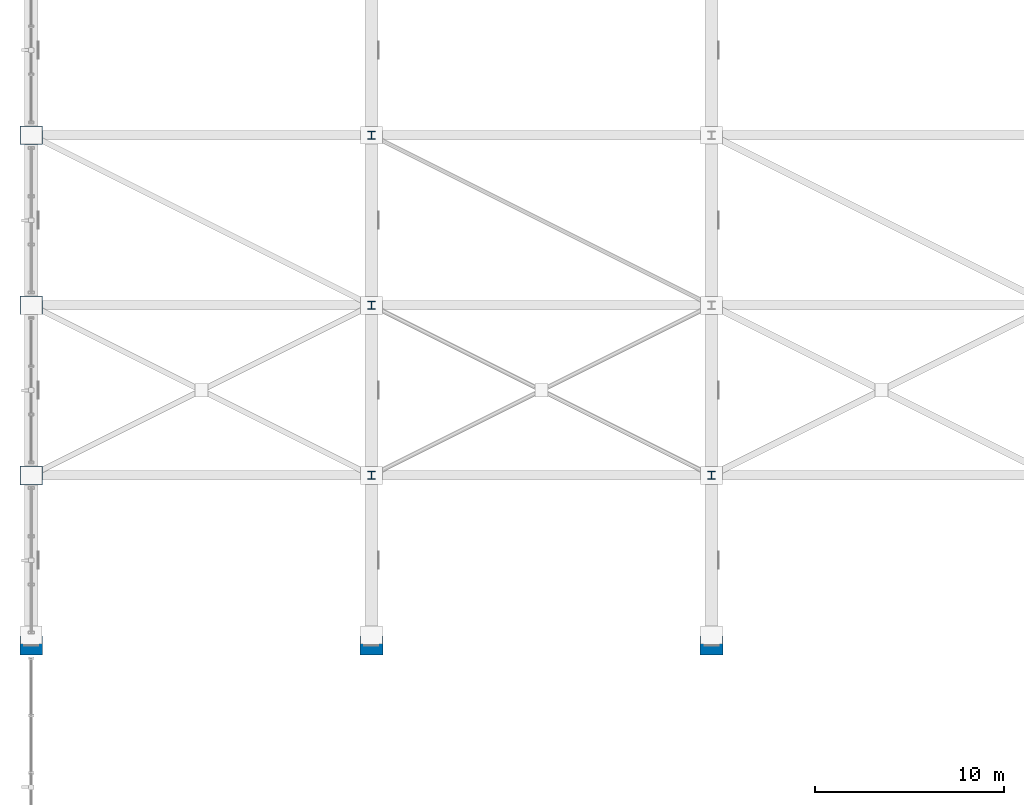
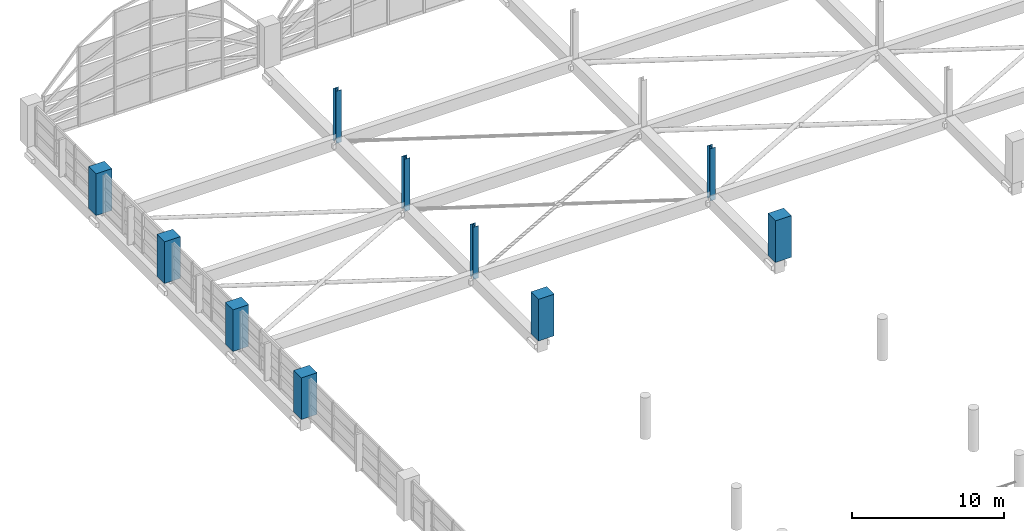
# One storey, part 5 of 116: 10 columns.
"""IFC4 building model written with IfcOpenShell, lengths in metres."""

from ifc_helpers import new_model, si_unit, direction, frame, origin, origin_2d, place, context, subcontext, project, spatial, rectangle, i_section, extrude, material, material_profile, profile_set, type_object, element, save


model = new_model("IFC4")

# Units and contexts
model_context = context("Model", 3, precision=1e-05, world=origin(), true_north=direction((0.0, 1.0)))
body_context = subcontext(model_context, "Body", "Model", "MODEL_VIEW")
ifc_project = project(units=[si_unit("LENGTHUNIT", "METRE"), si_unit("AREAUNIT", "SQUARE_METRE"), si_unit("VOLUMEUNIT", "CUBIC_METRE"), si_unit("PLANEANGLEUNIT", "RADIAN"), si_unit("MASSUNIT", "GRAM", prefix="KILO")], contexts=[model_context])

# Site, building, storey
site_placement = place(None, origin())
site = spatial("IfcSite", under=ifc_project, at=site_placement, CompositionType="ELEMENT")
building_placement = place(site_placement, origin())
building = spatial("IfcBuilding", under=site, at=building_placement, Name="Chuanluo Vaults Station", CompositionType="ELEMENT")
storey_placement = place(building_placement, frame((0.0, 0.0, 10.800048828125)))
storey = spatial("IfcBuildingStorey", under=building, at=storey_placement, Name="L02", CompositionType="ELEMENT", Elevation=10.800048828125)

# Columns
ifc_material_1 = material(Name="Concrete C50", Category="concrete")
ifc_material_profile_1 = material_profile(ifc_material_1, rectangle(XDim=1.199951171875, YDim=1.0, at=origin_2d()))
ifc_profile_set_1 = profile_set([ifc_material_profile_1], Name="Concrete C50")
column_type_1 = type_object("IfcColumnType", Name="COL-SRC-1200x1000", PredefinedType="COLUMN", material=ifc_profile_set_1)
for number, where, z_axis, x_axis, name in (
    (1, (0.0, 67.5, 0.0), (0.0, 0.0, 1.0), (1.0, 0.0, 0.0), "Column L02-008"),
    (2, (0.0, 76.5, 0.0), (0.0, 0.0, 1.0), (1.0, 0.0, 0.0), "Column L02-009"),
    (3, (0.0, 85.5, 0.0), (0.0, 0.0, 1.0), (1.0, 0.0, 0.0), "Column L02-010"),
    (4, (0.0, 94.5, 0.0), (0.0, 0.0, 1.0), (1.0, 0.0, 0.0), "Column L02-011"),
    (5, (18.0, 67.5, 0.0), (0.0, 0.0, 1.0), (1.0, 0.0, 0.0), "Column L02-022"),
    (6, (36.0, 67.5, 0.0), (0.0, 0.0, 1.0), (1.0, 0.0, 0.0), "Column L02-031"),
):
    element("IfcColumn", number, at=place(storey_placement, frame(where, z_axis=z_axis, x_axis=x_axis)), inside=storey, type_object=column_type_1, Name=name, PredefinedType="COLUMN", context=body_context, shape_type="SweptSolid", body=[
        extrude(rectangle(XDim=1.199951171875, YDim=1.0, at=origin_2d()), origin(), (0.0, 0.0, 1.0), 3.349853515625),
    ])
ifc_material_2 = material(Name="Steel Q355C", Category="steel")
ifc_material_profile_2 = material_profile(ifc_material_2, i_section(OverallWidth=0.39990234375, OverallDepth=0.407958984375, WebThickness=0.02099609375, FlangeThickness=0.02099609375, FilletRadius=0.02197265625, at=origin_2d()))
ifc_profile_set_2 = profile_set([ifc_material_profile_2], Name="Steel Q355C")
column_type_2 = type_object("IfcColumnType", Name="COL-STL-HW408", PredefinedType="COLUMN", material=ifc_profile_set_2)
for number, where, z_axis, x_axis, name in (
    (7, (18.0, 76.5, -0.85009765625), (0.0, 0.0, 1.0), (1.0, 0.0, 0.0), "Over-track vault pedestal 2-76"),
    (8, (18.0, 85.5, -0.85009765625), (0.0, 0.0, 1.0), (1.0, 0.0, 0.0), "Over-track vault pedestal 2-85"),
    (9, (18.0, 94.5, -0.85009765625), (0.0, 0.0, 1.0), (1.0, 0.0, 0.0), "Over-track vault pedestal 2-94"),
    (10, (36.0, 76.5, -0.85009765625), (0.0, 0.0, 1.0), (1.0, 0.0, 0.0), "Over-track vault pedestal 3-76"),
):
    element("IfcColumn", number, at=place(storey_placement, frame(where, z_axis=z_axis, x_axis=x_axis)), inside=storey, type_object=column_type_2, Name=name, PredefinedType="COLUMN", context=body_context, shape_type="SweptSolid", body=[
        extrude(i_section(OverallWidth=0.39990234375, OverallDepth=0.407958984375, WebThickness=0.02099609375, FlangeThickness=0.02099609375, FilletRadius=0.02197265625, at=origin_2d()), origin(), (0.0, 0.0, 1.0), 4.199951171875),
    ])

save(model, "model.ifc")
